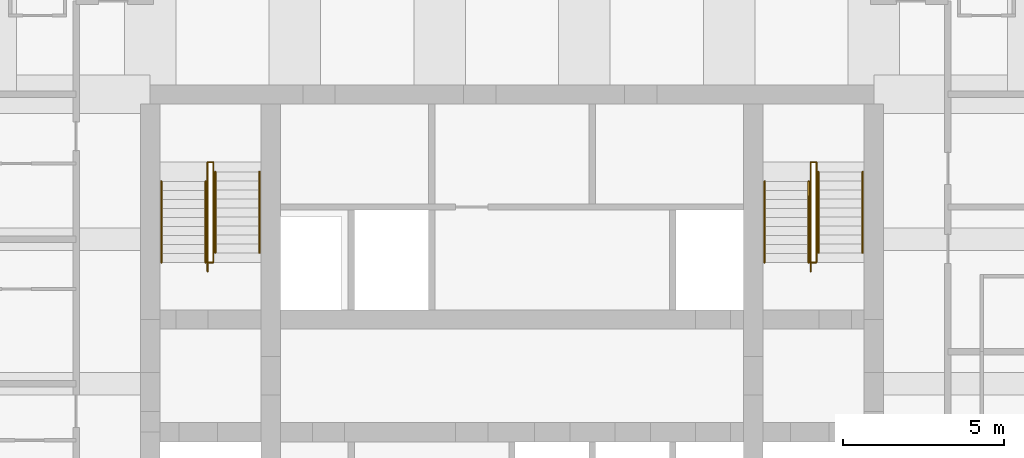
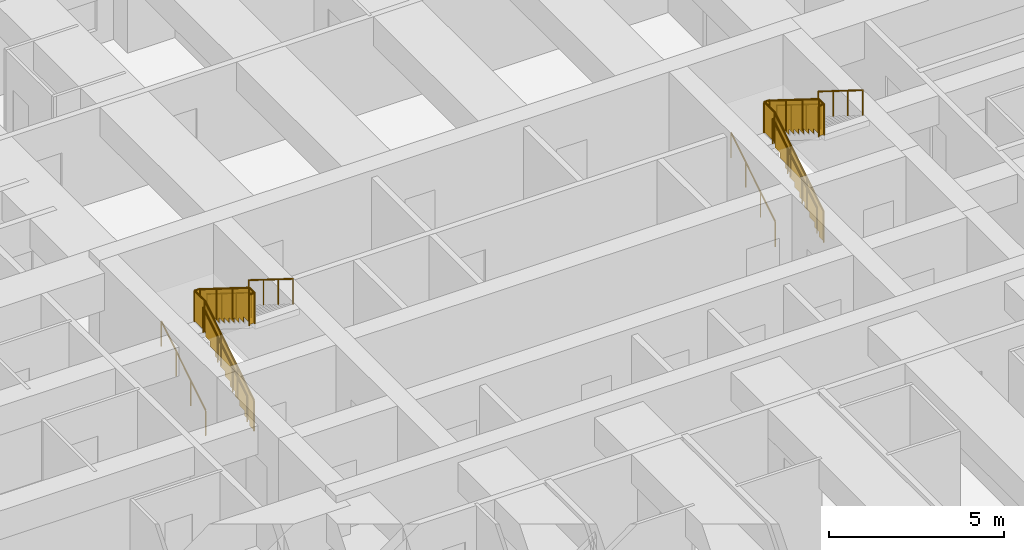
# One storey, part 8 of 8: 12 railings.
"""IFC4 building model written with IfcOpenShell, lengths in metres."""

from ifc_helpers import new_model, si_unit, direction, frame, origin, origin_2d, place, context, subcontext, project, spatial, polyline, circle, outline, extrude, material, type_object, element, save


model = new_model("IFC4")

# Units and contexts
model_context = context("Model", 3, precision=1e-05, world=origin(), true_north=direction((0.0, 1.0)))
body_context = subcontext(model_context, "Body", "Model", "MODEL_VIEW")
ifc_project = project(units=[si_unit("LENGTHUNIT", "METRE"), si_unit("AREAUNIT", "SQUARE_METRE"), si_unit("VOLUMEUNIT", "CUBIC_METRE"), si_unit("PLANEANGLEUNIT", "RADIAN"), si_unit("MASSUNIT", "GRAM", prefix="KILO")], contexts=[model_context])

# Site, building, storey
site_placement = place(None, origin())
site = spatial("IfcSite", under=ifc_project, at=site_placement, CompositionType="ELEMENT")
building_placement = place(site_placement, origin())
building = spatial("IfcBuilding", under=site, at=building_placement, Name="Kilele Tower Hotel", CompositionType="ELEMENT")
storey_placement = place(building_placement, frame((0.0, 0.0, 124.89990234375)))
storey = spatial("IfcBuildingStorey", under=building, at=storey_placement, Name="L32", CompositionType="ELEMENT", Elevation=124.89990234375)

# Railings
ifc_material_1 = material(Name="Steel handrail", Category="steel")
railing_type_1 = type_object("IfcRailingType", Name="Handrail 900", PredefinedType="HANDRAIL", material=ifc_material_1)
for number, where, name in (
    (1, (13.85009765625, 21.77490234375, 0.175048828125), "Handrail ST1 flight 1"),
    (2, (15.22509765625, 21.77490234375, 0.175048828125), "Handrail ST1 flight 1"),
):
    element("IfcRailing", number, at=place(storey_placement, frame(where)), inside=storey, type_object=railing_type_1, Name=name, PredefinedType="HANDRAIL", context=body_context, shape_type="SweptSolid", body=[
        extrude(circle(Radius=0.02490234375, at=origin_2d()), frame((0.0, 0.0, 0.875), z_axis=(0.0, 0.848007534815, 0.529984170421), x_axis=(-1.0, 0.0, 0.0)), (0.0, 0.0, 1.0), 2.9716796875),
        extrude(circle(Radius=0.02001953125, at=origin_2d()), origin(), (0.0, 0.0, 1.0), 0.849853515625),
        extrude(circle(Radius=0.02001953125, at=origin_2d()), frame((0.0, 0.840087890625, 0.52490234375)), (0.0, 0.0, 1.0), 0.849853515625),
        extrude(circle(Radius=0.02001953125, at=origin_2d()), frame((0.0, 1.679931640625, 1.050048828125)), (0.0, 0.0, 1.0), 0.849853515625),
        extrude(circle(Radius=0.02001953125, at=origin_2d()), frame((0.0, 2.52001953125, 1.574951171875)), (0.0, 0.0, 1.0), 0.849853515625),
    ])
for number, where, name in (
    (3, (15.52490234375, 24.594970703125, 1.925048828125), "Handrail ST1 flight 2"),
    (4, (16.89990234375, 24.594970703125, 1.925048828125), "Handrail ST1 flight 2"),
):
    element("IfcRailing", number, at=place(storey_placement, frame(where)), inside=storey, type_object=railing_type_1, Name=name, PredefinedType="HANDRAIL", context=body_context, shape_type="SweptSolid", body=[
        extrude(circle(Radius=0.02490234375, at=origin_2d()), frame((0.0, 0.0, 0.875), z_axis=(0.0, -0.848007534815, 0.529984170421), x_axis=(1.0, 0.0, 0.0)), (0.0, 0.0, 1.0), 2.9716796875),
        extrude(circle(Radius=0.02001953125, at=origin_2d()), origin(), (0.0, 0.0, 1.0), 0.849853515625),
        extrude(circle(Radius=0.02001953125, at=origin_2d()), frame((0.0, -0.840087890625, 0.52490234375)), (0.0, 0.0, 1.0), 0.849853515625),
        extrude(circle(Radius=0.02001953125, at=origin_2d()), frame((0.0, -1.679931640625, 1.050048828125)), (0.0, 0.0, 1.0), 0.849853515625),
        extrude(circle(Radius=0.02001953125, at=origin_2d()), frame((0.0, -2.52001953125, 1.574951171875)), (0.0, 0.0, 1.0), 0.849853515625),
    ])
for number, where, name in (
    (5, (32.60009765625, 21.77490234375, 0.175048828125), "Handrail ST2 flight 1"),
    (6, (33.97509765625, 21.77490234375, 0.175048828125), "Handrail ST2 flight 1"),
):
    element("IfcRailing", number, at=place(storey_placement, frame(where)), inside=storey, type_object=railing_type_1, Name=name, PredefinedType="HANDRAIL", context=body_context, shape_type="SweptSolid", body=[
        extrude(circle(Radius=0.02490234375, at=origin_2d()), frame((0.0, 0.0, 0.875), z_axis=(0.0, 0.848007534815, 0.529984170421), x_axis=(-1.0, 0.0, 0.0)), (0.0, 0.0, 1.0), 2.9716796875),
        extrude(circle(Radius=0.02001953125, at=origin_2d()), origin(), (0.0, 0.0, 1.0), 0.849853515625),
        extrude(circle(Radius=0.02001953125, at=origin_2d()), frame((0.0, 0.840087890625, 0.52490234375)), (0.0, 0.0, 1.0), 0.849853515625),
        extrude(circle(Radius=0.02001953125, at=origin_2d()), frame((0.0, 1.679931640625, 1.050048828125)), (0.0, 0.0, 1.0), 0.849853515625),
        extrude(circle(Radius=0.02001953125, at=origin_2d()), frame((0.0, 2.52001953125, 1.574951171875)), (0.0, 0.0, 1.0), 0.849853515625),
    ])
for number, where, name in (
    (7, (34.27490234375, 24.594970703125, 1.925048828125), "Handrail ST2 flight 2"),
    (8, (35.64990234375, 24.594970703125, 1.925048828125), "Handrail ST2 flight 2"),
):
    element("IfcRailing", number, at=place(storey_placement, frame(where)), inside=storey, type_object=railing_type_1, Name=name, PredefinedType="HANDRAIL", context=body_context, shape_type="SweptSolid", body=[
        extrude(circle(Radius=0.02490234375, at=origin_2d()), frame((0.0, 0.0, 0.875), z_axis=(0.0, -0.848007534815, 0.529984170421), x_axis=(1.0, 0.0, 0.0)), (0.0, 0.0, 1.0), 2.9716796875),
        extrude(circle(Radius=0.02001953125, at=origin_2d()), origin(), (0.0, 0.0, 1.0), 0.849853515625),
        extrude(circle(Radius=0.02001953125, at=origin_2d()), frame((0.0, -0.840087890625, 0.52490234375)), (0.0, 0.0, 1.0), 0.849853515625),
        extrude(circle(Radius=0.02001953125, at=origin_2d()), frame((0.0, -1.679931640625, 1.050048828125)), (0.0, 0.0, 1.0), 0.849853515625),
        extrude(circle(Radius=0.02001953125, at=origin_2d()), frame((0.0, -2.52001953125, 1.574951171875)), (0.0, 0.0, 1.0), 0.849853515625),
    ])
ifc_material_2 = material(Name="Steel guard", Category="steel")
railing_type_2 = type_object("IfcRailingType", Name="Stair guard 1100", PredefinedType="GUARDRAIL", material=ifc_material_2)
railing_1_placement = place(storey_placement, frame((15.284912109375, 21.4951171875, 0.0)))
element("IfcRailing", 9, at=railing_1_placement, inside=storey, type_object=railing_type_2, Name="Stair well guard ST1 flight 1", PredefinedType="GUARDRAIL", context=body_context, shape_type="SweptSolid", body=[
    extrude(circle(Radius=0.02490234375, at=origin_2d()), frame((0.0, 0.0, 1.0751953125), z_axis=(0.0, 0.847981687118, 0.530025526095), x_axis=(-1.0, 0.0, 0.0)), (0.0, 0.0, 1.0), 3.3017578125),
    extrude(circle(Radius=0.02490234375, at=origin_2d()), frame((0.0, 2.7998046875, 2.8251953125), z_axis=(0.0, 1.0, 0.0), x_axis=(-1.0, 0.0, 0.0)), (0.0, 0.0, 1.0), 0.60009765625),
    extrude(circle(Radius=0.02490234375, at=origin_2d()), frame((0.0, 3.39990234375, 2.8251953125), z_axis=(1.0, 0.0, 0.0), x_axis=(0.0, 1.0, 0.0)), (0.0, 0.0, 1.0), 0.18017578125),
    extrude(circle(Radius=0.02490234375, at=origin_2d()), origin(), (0.0, 0.0, 1.0), 1.050048828125),
    extrude(circle(Radius=0.02490234375, at=origin_2d()), frame((0.0, 0.933349609375, 0.583251953125)), (0.0, 0.0, 1.0), 1.050048828125),
    extrude(circle(Radius=0.02490234375, at=origin_2d()), frame((0.0, 1.866455078125, 1.166748046875)), (0.0, 0.0, 1.0), 1.050048828125),
    extrude(circle(Radius=0.02490234375, at=origin_2d()), frame((0.0, 2.7998046875, 1.75)), (0.0, 0.0, 1.0), 1.050048828125),
    extrude(circle(Radius=0.02490234375, at=origin_2d()), frame((0.0, 3.39990234375, 1.75)), (0.0, 0.0, 1.0), 1.050048828125),
    extrude(circle(Radius=0.02490234375, at=origin_2d()), frame((0.18017578125, 3.39990234375, 1.75)), (0.0, 0.0, 1.0), 1.050048828125),
    extrude(outline(polyline([(0.012451171875, 0.030029296875), (0.25, 0.030029296875), (0.25, 0.205078125), (0.530029296875, 0.205078125), (0.530029296875, 0.380126953125), (0.809814453125, 0.380126953125), (0.809814453125, 0.554931640625), (1.08984375, 0.554931640625), (1.08984375, 0.72998046875), (1.369873046875, 0.72998046875), (1.369873046875, 0.905029296875), (1.64990234375, 0.905029296875), (1.64990234375, 1.080078125), (1.929931640625, 1.080078125), (1.929931640625, 1.255126953125), (2.209716796875, 1.255126953125), (2.209716796875, 1.429931640625), (2.48974609375, 1.429931640625), (2.48974609375, 1.60498046875), (2.769775390625, 1.60498046875), (2.769775390625, 1.780029296875), (2.787353515625, 1.780029296875), (2.787353515625, 2.787841796875), (0.012451171875, 1.053466796875), (0.012451171875, 0.030029296875)])), frame((-0.005859375, 0.0, 0.0), z_axis=(1.0, 0.0, 0.0), x_axis=(0.0, 1.0, 0.0)), (0.0, 0.0, 1.0), 0.011962890625),
    extrude(outline(polyline([(0.012451171875, 0.030029296875), (0.587646484375, 0.030029296875), (0.587646484375, 1.050048828125), (0.012451171875, 1.050048828125), (0.012451171875, 0.030029296875)])), frame((-0.005859375, 2.7998046875, 1.75), z_axis=(1.0, 0.0, 0.0), x_axis=(0.0, 1.0, 0.0)), (0.0, 0.0, 1.0), 0.011962890625),
    extrude(outline(polyline([(0.012451171875, 0.030029296875), (0.18017578125, 0.030029296875), (0.18017578125, 1.050048828125), (0.012451171875, 1.050048828125), (0.012451171875, 0.030029296875)])), frame((0.0, 3.40576171875, 1.75), z_axis=(0.0, -1.0, 0.0), x_axis=(1.0, 0.0, 0.0)), (0.0, 0.0, 1.0), 0.011962890625),
])
railing_2_placement = place(storey_placement, frame((15.465087890625, 24.89501953125, 1.75)))
element("IfcRailing", 10, at=railing_2_placement, inside=storey, type_object=railing_type_2, Name="Stair well guard ST1 flight 2", PredefinedType="GUARDRAIL", context=body_context, shape_type="SweptSolid", body=[
    extrude(circle(Radius=0.02490234375, at=origin_2d()), frame((0.0, 0.0, 1.0751953125), z_axis=(0.0, -1.0, 0.0), x_axis=(1.0, 0.0, 0.0)), (0.0, 0.0, 1.0), 0.02001953125),
    extrude(circle(Radius=0.02490234375, at=origin_2d()), frame((0.0, -0.02001953125, 1.0751953125), z_axis=(0.0, -0.848002457836, 0.529992293815), x_axis=(1.0, 0.0, 0.0)), (0.0, 0.0, 1.0), 3.302001953125),
    extrude(circle(Radius=0.02490234375, at=origin_2d()), frame((0.0, -2.820068359375, 2.8251953125), z_axis=(0.0, -1.0, 0.0), x_axis=(1.0, 0.0, 0.0)), (0.0, 0.0, 1.0), 0.300048828125),
    extrude(circle(Radius=0.02490234375, at=origin_2d()), frame((0.0, -3.1201171875, 2.8251953125), z_axis=(-1.0, 0.0, 0.0), x_axis=(0.0, -1.0, 0.0)), (0.0, 0.0, 1.0), 0.18017578125),
    extrude(circle(Radius=0.02490234375, at=origin_2d()), origin(), (0.0, 0.0, 1.0), 1.050048828125),
    extrude(circle(Radius=0.02490234375, at=origin_2d()), frame((0.0, -0.02001953125, 0.0)), (0.0, 0.0, 1.0), 1.050048828125),
    extrude(circle(Radius=0.02490234375, at=origin_2d()), frame((0.0, -0.953369140625, 0.583251953125)), (0.0, 0.0, 1.0), 1.050048828125),
    extrude(circle(Radius=0.02490234375, at=origin_2d()), frame((0.0, -1.88671875, 1.166748046875)), (0.0, 0.0, 1.0), 1.050048828125),
    extrude(circle(Radius=0.02490234375, at=origin_2d()), frame((0.0, -2.820068359375, 1.75)), (0.0, 0.0, 1.0), 1.050048828125),
    extrude(circle(Radius=0.02490234375, at=origin_2d()), frame((0.0, -3.1201171875, 1.75)), (0.0, 0.0, 1.0), 1.050048828125),
    extrude(circle(Radius=0.02490234375, at=origin_2d()), frame((-0.18017578125, -3.1201171875, 1.75)), (0.0, 0.0, 1.0), 1.050048828125),
    extrude(outline(polyline([(0.012451171875, 0.030029296875), (0.25, 0.030029296875), (0.25, 0.205078125), (0.530029296875, 0.205078125), (0.530029296875, 0.380126953125), (0.81005859375, 0.380126953125), (0.81005859375, 0.554931640625), (1.090087890625, 0.554931640625), (1.090087890625, 0.72998046875), (1.3701171875, 0.72998046875), (1.3701171875, 0.905029296875), (1.64990234375, 0.905029296875), (1.64990234375, 1.080078125), (1.929931640625, 1.080078125), (1.929931640625, 1.255126953125), (2.2099609375, 1.255126953125), (2.2099609375, 1.429931640625), (2.489990234375, 1.429931640625), (2.489990234375, 1.60498046875), (2.77001953125, 1.60498046875), (2.77001953125, 1.780029296875), (2.78759765625, 1.780029296875), (2.78759765625, 2.787841796875), (0.012451171875, 1.053466796875), (0.012451171875, 0.030029296875)])), frame((0.005859375, -0.02001953125, 0.0), z_axis=(-1.0, 0.0, 0.0), x_axis=(0.0, -1.0, 0.0)), (0.0, 0.0, 1.0), 0.011962890625),
    extrude(outline(polyline([(0.012451171875, 0.030029296875), (0.28759765625, 0.030029296875), (0.28759765625, 1.050048828125), (0.012451171875, 1.050048828125), (0.012451171875, 0.030029296875)])), frame((0.005859375, -2.820068359375, 1.75), z_axis=(-1.0, 0.0, 0.0), x_axis=(0.0, -1.0, 0.0)), (0.0, 0.0, 1.0), 0.011962890625),
    extrude(outline(polyline([(0.012451171875, 0.030029296875), (0.18017578125, 0.030029296875), (0.18017578125, 1.050048828125), (0.012451171875, 1.050048828125), (0.012451171875, 0.030029296875)])), frame((0.0, -3.1259765625, 1.75), z_axis=(0.0, 1.0, 0.0), x_axis=(-1.0, 0.0, 0.0)), (0.0, 0.0, 1.0), 0.011962890625),
])
railing_3_placement = place(storey_placement, frame((34.034912109375, 21.4951171875, 0.0)))
element("IfcRailing", 11, at=railing_3_placement, inside=storey, type_object=railing_type_2, Name="Stair well guard ST2 flight 1", PredefinedType="GUARDRAIL", context=body_context, shape_type="SweptSolid", body=[
    extrude(circle(Radius=0.02490234375, at=origin_2d()), frame((0.0, 0.0, 1.0751953125), z_axis=(0.0, 0.847981687118, 0.530025526095), x_axis=(-1.0, 0.0, 0.0)), (0.0, 0.0, 1.0), 3.3017578125),
    extrude(circle(Radius=0.02490234375, at=origin_2d()), frame((0.0, 2.7998046875, 2.8251953125), z_axis=(0.0, 1.0, 0.0), x_axis=(-1.0, 0.0, 0.0)), (0.0, 0.0, 1.0), 0.60009765625),
    extrude(circle(Radius=0.02490234375, at=origin_2d()), frame((0.0, 3.39990234375, 2.8251953125), z_axis=(1.0, 0.0, 0.0), x_axis=(0.0, 1.0, 0.0)), (0.0, 0.0, 1.0), 0.18017578125),
    extrude(circle(Radius=0.02490234375, at=origin_2d()), origin(), (0.0, 0.0, 1.0), 1.050048828125),
    extrude(circle(Radius=0.02490234375, at=origin_2d()), frame((0.0, 0.933349609375, 0.583251953125)), (0.0, 0.0, 1.0), 1.050048828125),
    extrude(circle(Radius=0.02490234375, at=origin_2d()), frame((0.0, 1.866455078125, 1.166748046875)), (0.0, 0.0, 1.0), 1.050048828125),
    extrude(circle(Radius=0.02490234375, at=origin_2d()), frame((0.0, 2.7998046875, 1.75)), (0.0, 0.0, 1.0), 1.050048828125),
    extrude(circle(Radius=0.02490234375, at=origin_2d()), frame((0.0, 3.39990234375, 1.75)), (0.0, 0.0, 1.0), 1.050048828125),
    extrude(circle(Radius=0.02490234375, at=origin_2d()), frame((0.18017578125, 3.39990234375, 1.75)), (0.0, 0.0, 1.0), 1.050048828125),
    extrude(outline(polyline([(0.012451171875, 0.030029296875), (0.25, 0.030029296875), (0.25, 0.205078125), (0.530029296875, 0.205078125), (0.530029296875, 0.380126953125), (0.809814453125, 0.380126953125), (0.809814453125, 0.554931640625), (1.08984375, 0.554931640625), (1.08984375, 0.72998046875), (1.369873046875, 0.72998046875), (1.369873046875, 0.905029296875), (1.64990234375, 0.905029296875), (1.64990234375, 1.080078125), (1.929931640625, 1.080078125), (1.929931640625, 1.255126953125), (2.209716796875, 1.255126953125), (2.209716796875, 1.429931640625), (2.48974609375, 1.429931640625), (2.48974609375, 1.60498046875), (2.769775390625, 1.60498046875), (2.769775390625, 1.780029296875), (2.787353515625, 1.780029296875), (2.787353515625, 2.787841796875), (0.012451171875, 1.053466796875), (0.012451171875, 0.030029296875)])), frame((-0.005859375, 0.0, 0.0), z_axis=(1.0, 0.0, 0.0), x_axis=(0.0, 1.0, 0.0)), (0.0, 0.0, 1.0), 0.011962890625),
    extrude(outline(polyline([(0.012451171875, 0.030029296875), (0.587646484375, 0.030029296875), (0.587646484375, 1.050048828125), (0.012451171875, 1.050048828125), (0.012451171875, 0.030029296875)])), frame((-0.005859375, 2.7998046875, 1.75), z_axis=(1.0, 0.0, 0.0), x_axis=(0.0, 1.0, 0.0)), (0.0, 0.0, 1.0), 0.011962890625),
    extrude(outline(polyline([(0.012451171875, 0.030029296875), (0.18017578125, 0.030029296875), (0.18017578125, 1.050048828125), (0.012451171875, 1.050048828125), (0.012451171875, 0.030029296875)])), frame((0.0, 3.40576171875, 1.75), z_axis=(0.0, -1.0, 0.0), x_axis=(1.0, 0.0, 0.0)), (0.0, 0.0, 1.0), 0.011962890625),
])
railing_4_placement = place(storey_placement, frame((34.215087890625, 24.89501953125, 1.75)))
element("IfcRailing", 12, at=railing_4_placement, inside=storey, type_object=railing_type_2, Name="Stair well guard ST2 flight 2", PredefinedType="GUARDRAIL", context=body_context, shape_type="SweptSolid", body=[
    extrude(circle(Radius=0.02490234375, at=origin_2d()), frame((0.0, 0.0, 1.0751953125), z_axis=(0.0, -1.0, 0.0), x_axis=(1.0, 0.0, 0.0)), (0.0, 0.0, 1.0), 0.02001953125),
    extrude(circle(Radius=0.02490234375, at=origin_2d()), frame((0.0, -0.02001953125, 1.0751953125), z_axis=(0.0, -0.848002457836, 0.529992293815), x_axis=(1.0, 0.0, 0.0)), (0.0, 0.0, 1.0), 3.302001953125),
    extrude(circle(Radius=0.02490234375, at=origin_2d()), frame((0.0, -2.820068359375, 2.8251953125), z_axis=(0.0, -1.0, 0.0), x_axis=(1.0, 0.0, 0.0)), (0.0, 0.0, 1.0), 0.300048828125),
    extrude(circle(Radius=0.02490234375, at=origin_2d()), frame((0.0, -3.1201171875, 2.8251953125), z_axis=(-1.0, 0.0, 0.0), x_axis=(0.0, -1.0, 0.0)), (0.0, 0.0, 1.0), 0.18017578125),
    extrude(circle(Radius=0.02490234375, at=origin_2d()), origin(), (0.0, 0.0, 1.0), 1.050048828125),
    extrude(circle(Radius=0.02490234375, at=origin_2d()), frame((0.0, -0.02001953125, 0.0)), (0.0, 0.0, 1.0), 1.050048828125),
    extrude(circle(Radius=0.02490234375, at=origin_2d()), frame((0.0, -0.953369140625, 0.583251953125)), (0.0, 0.0, 1.0), 1.050048828125),
    extrude(circle(Radius=0.02490234375, at=origin_2d()), frame((0.0, -1.88671875, 1.166748046875)), (0.0, 0.0, 1.0), 1.050048828125),
    extrude(circle(Radius=0.02490234375, at=origin_2d()), frame((0.0, -2.820068359375, 1.75)), (0.0, 0.0, 1.0), 1.050048828125),
    extrude(circle(Radius=0.02490234375, at=origin_2d()), frame((0.0, -3.1201171875, 1.75)), (0.0, 0.0, 1.0), 1.050048828125),
    extrude(circle(Radius=0.02490234375, at=origin_2d()), frame((-0.18017578125, -3.1201171875, 1.75)), (0.0, 0.0, 1.0), 1.050048828125),
    extrude(outline(polyline([(0.012451171875, 0.030029296875), (0.25, 0.030029296875), (0.25, 0.205078125), (0.530029296875, 0.205078125), (0.530029296875, 0.380126953125), (0.81005859375, 0.380126953125), (0.81005859375, 0.554931640625), (1.090087890625, 0.554931640625), (1.090087890625, 0.72998046875), (1.3701171875, 0.72998046875), (1.3701171875, 0.905029296875), (1.64990234375, 0.905029296875), (1.64990234375, 1.080078125), (1.929931640625, 1.080078125), (1.929931640625, 1.255126953125), (2.2099609375, 1.255126953125), (2.2099609375, 1.429931640625), (2.489990234375, 1.429931640625), (2.489990234375, 1.60498046875), (2.77001953125, 1.60498046875), (2.77001953125, 1.780029296875), (2.78759765625, 1.780029296875), (2.78759765625, 2.787841796875), (0.012451171875, 1.053466796875), (0.012451171875, 0.030029296875)])), frame((0.005859375, -0.02001953125, 0.0), z_axis=(-1.0, 0.0, 0.0), x_axis=(0.0, -1.0, 0.0)), (0.0, 0.0, 1.0), 0.011962890625),
    extrude(outline(polyline([(0.012451171875, 0.030029296875), (0.28759765625, 0.030029296875), (0.28759765625, 1.050048828125), (0.012451171875, 1.050048828125), (0.012451171875, 0.030029296875)])), frame((0.005859375, -2.820068359375, 1.75), z_axis=(-1.0, 0.0, 0.0), x_axis=(0.0, -1.0, 0.0)), (0.0, 0.0, 1.0), 0.011962890625),
    extrude(outline(polyline([(0.012451171875, 0.030029296875), (0.18017578125, 0.030029296875), (0.18017578125, 1.050048828125), (0.012451171875, 1.050048828125), (0.012451171875, 0.030029296875)])), frame((0.0, -3.1259765625, 1.75), z_axis=(0.0, 1.0, 0.0), x_axis=(-1.0, 0.0, 0.0)), (0.0, 0.0, 1.0), 0.011962890625),
])

save(model, "model.ifc")
